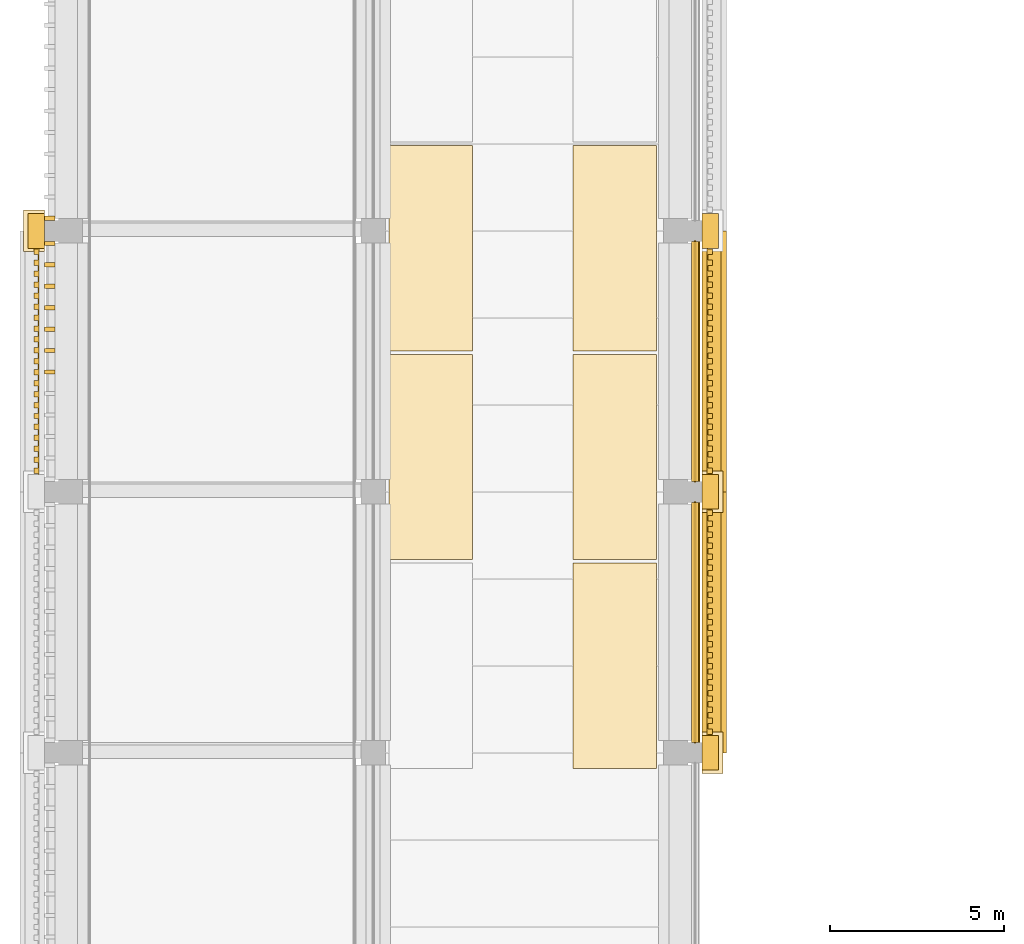
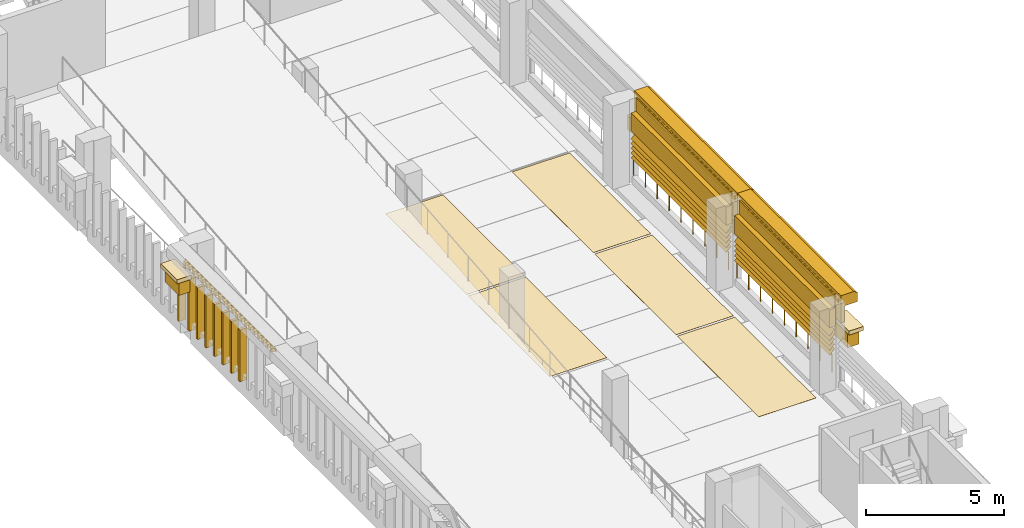
# One storey, part 15 of 25: 27 coverings, 10 shading devices, 2 railings.
"""IFC4 building model written with IfcOpenShell, lengths in metres."""

from ifc_helpers import new_model, si_unit, direction, frame, origin, origin_2d, place, context, subcontext, project, spatial, polyline, circle, outline, extrude, material, layer, layer_set, type_object, element, save


model = new_model("IFC4")

# Units and contexts
model_context = context("Model", 3, precision=1e-05, world=origin(), true_north=direction((0.0, 1.0)))
body_context = subcontext(model_context, "Body", "Model", "MODEL_VIEW")
ifc_project = project(units=[si_unit("LENGTHUNIT", "METRE"), si_unit("AREAUNIT", "SQUARE_METRE"), si_unit("VOLUMEUNIT", "CUBIC_METRE"), si_unit("PLANEANGLEUNIT", "RADIAN"), si_unit("MASSUNIT", "GRAM", prefix="KILO")], contexts=[model_context])

# Site, building, storey
site_placement = place(None, origin())
site = spatial("IfcSite", under=ifc_project, at=site_placement, CompositionType="ELEMENT")
building_placement = place(site_placement, origin())
building = spatial("IfcBuilding", under=site, at=building_placement, Name="Cour d'Honneur Mobility Palace", CompositionType="ELEMENT")
storey_placement = place(building_placement, frame((0.0, 0.0, 30.39990234375)))
storey = spatial("IfcBuildingStorey", under=building, at=storey_placement, Name="L08", CompositionType="ELEMENT", Elevation=30.39990234375)

# Railings
ifc_material_1 = material(Name="Painted steel", Category="steel")
railing_type = type_object("IfcRailingType", Name="Balustrade", PredefinedType="BALUSTRADE", material=ifc_material_1)
for number, where, name in (
    (1, (17.949951171875, 15.300048828125, 0.300048828125), "Balustrade BAL-392"),
    (2, (17.949951171875, 22.800048828125, 0.300048828125), "Balustrade BAL-393"),
):
    element("IfcRailing", number, at=place(storey_placement, frame(where)), inside=storey, type_object=railing_type, Name=name, PredefinedType="BALUSTRADE", context=body_context, shape_type="SweptSolid", body=[
        extrude(circle(Radius=0.02392578125, at=origin_2d()), frame((0.0, 0.0, 0.77587890625), z_axis=(0.0, 1.0, 0.0), x_axis=(-1.0, 0.0, 0.0)), (0.0, 0.0, 1.0), 6.89990234375),
        extrude(circle(Radius=0.02099609375, at=origin_2d()), origin(), (0.0, 0.0, 1.0), 0.751953125),
        extrude(circle(Radius=0.02099609375, at=origin_2d()), frame((0.0, 0.862548828125, 0.0)), (0.0, 0.0, 1.0), 0.751953125),
        extrude(circle(Radius=0.02099609375, at=origin_2d()), frame((0.0, 1.72509765625, 0.0)), (0.0, 0.0, 1.0), 0.751953125),
        extrude(circle(Radius=0.02099609375, at=origin_2d()), frame((0.0, 2.58740234375, 0.0)), (0.0, 0.0, 1.0), 0.751953125),
        extrude(circle(Radius=0.02099609375, at=origin_2d()), frame((0.0, 3.449951171875, 0.0)), (0.0, 0.0, 1.0), 0.751953125),
        extrude(circle(Radius=0.02099609375, at=origin_2d()), frame((0.0, 4.3125, 0.0)), (0.0, 0.0, 1.0), 0.751953125),
        extrude(circle(Radius=0.02099609375, at=origin_2d()), frame((0.0, 5.1748046875, 0.0)), (0.0, 0.0, 1.0), 0.751953125),
        extrude(circle(Radius=0.02099609375, at=origin_2d()), frame((0.0, 6.037353515625, 0.0)), (0.0, 0.0, 1.0), 0.751953125),
        extrude(circle(Radius=0.02099609375, at=origin_2d()), frame((0.0, 6.89990234375, 0.0)), (0.0, 0.0, 1.0), 0.751953125),
    ])

# Coverings
ifc_material_2 = material(Name="Cast limestone", Category="masonry")
ifc_layer_1 = layer(ifc_material_2, 0.14990234375)
ifc_layer_set_1 = layer_set([ifc_layer_1], Name="Cast limestone")
covering_type_1 = type_object("IfcCoveringType", Name="Dentil course", PredefinedType="CLADDING", material=ifc_layer_set_1)
covering_1_placement = place(storey_placement, frame((0.0, 0.0, 3.150146484375)))
element("IfcCovering", 3, at=covering_1_placement, inside=storey, type_object=covering_type_1, Name="Dentil course DC-125", PredefinedType="CLADDING", context=body_context, shape_type="SweptSolid", body=[
    extrude(outline(polyline([(18.300048828125, 15.449951171875), (18.300048828125, 22.050048828125), (18.330078125, 22.050048828125), (18.330078125, 22.050048828125), (18.330078125, 21.971435546875), (18.449951171875, 21.971435546875), (18.449951171875, 21.814208984375), (18.330078125, 21.814208984375), (18.330078125, 21.735595703125), (18.330078125, 21.735595703125), (18.330078125, 21.6572265625), (18.449951171875, 21.6572265625), (18.449951171875, 21.5), (18.330078125, 21.5), (18.330078125, 21.42138671875), (18.330078125, 21.42138671875), (18.330078125, 21.3427734375), (18.449951171875, 21.3427734375), (18.449951171875, 21.185791015625), (18.330078125, 21.185791015625), (18.330078125, 21.107177734375), (18.330078125, 21.107177734375), (18.330078125, 21.028564453125), (18.449951171875, 21.028564453125), (18.449951171875, 20.871337890625), (18.330078125, 20.871337890625), (18.330078125, 20.79296875), (18.330078125, 20.79296875), (18.330078125, 20.71435546875), (18.449951171875, 20.71435546875), (18.449951171875, 20.55712890625), (18.330078125, 20.55712890625), (18.330078125, 20.478515625), (18.330078125, 20.478515625), (18.330078125, 20.39990234375), (18.449951171875, 20.39990234375), (18.449951171875, 20.242919921875), (18.330078125, 20.242919921875), (18.330078125, 20.164306640625), (18.330078125, 20.164306640625), (18.330078125, 20.085693359375), (18.449951171875, 20.085693359375), (18.449951171875, 19.928466796875), (18.330078125, 19.928466796875), (18.330078125, 19.85009765625), (18.330078125, 19.85009765625), (18.330078125, 19.771484375), (18.449951171875, 19.771484375), (18.449951171875, 19.6142578125), (18.330078125, 19.6142578125), (18.330078125, 19.53564453125), (18.330078125, 19.53564453125), (18.330078125, 19.45703125), (18.449951171875, 19.45703125), (18.449951171875, 19.300048828125), (18.330078125, 19.300048828125), (18.330078125, 19.221435546875), (18.330078125, 19.221435546875), (18.330078125, 19.142822265625), (18.449951171875, 19.142822265625), (18.449951171875, 18.985595703125), (18.330078125, 18.985595703125), (18.330078125, 18.9072265625), (18.330078125, 18.9072265625), (18.330078125, 18.82861328125), (18.449951171875, 18.82861328125), (18.449951171875, 18.67138671875), (18.330078125, 18.67138671875), (18.330078125, 18.5927734375), (18.330078125, 18.5927734375), (18.330078125, 18.514404296875), (18.449951171875, 18.514404296875), (18.449951171875, 18.357177734375), (18.330078125, 18.357177734375), (18.330078125, 18.278564453125), (18.330078125, 18.278564453125), (18.330078125, 18.199951171875), (18.449951171875, 18.199951171875), (18.449951171875, 18.04296875), (18.330078125, 18.04296875), (18.330078125, 17.96435546875), (18.330078125, 17.96435546875), (18.330078125, 17.8857421875), (18.449951171875, 17.8857421875), (18.449951171875, 17.728515625), (18.330078125, 17.728515625), (18.330078125, 17.64990234375), (18.330078125, 17.64990234375), (18.330078125, 17.571533203125), (18.449951171875, 17.571533203125), (18.449951171875, 17.414306640625), (18.330078125, 17.414306640625), (18.330078125, 17.335693359375), (18.330078125, 17.335693359375), (18.330078125, 17.257080078125), (18.449951171875, 17.257080078125), (18.449951171875, 17.10009765625), (18.330078125, 17.10009765625), (18.330078125, 17.021484375), (18.330078125, 17.021484375), (18.330078125, 16.94287109375), (18.449951171875, 16.94287109375), (18.449951171875, 16.78564453125), (18.330078125, 16.78564453125), (18.330078125, 16.70703125), (18.330078125, 16.70703125), (18.330078125, 16.628662109375), (18.449951171875, 16.628662109375), (18.449951171875, 16.471435546875), (18.330078125, 16.471435546875), (18.330078125, 16.392822265625), (18.330078125, 16.392822265625), (18.330078125, 16.314208984375), (18.449951171875, 16.314208984375), (18.449951171875, 16.1572265625), (18.330078125, 16.1572265625), (18.330078125, 16.07861328125), (18.330078125, 16.07861328125), (18.330078125, 16.0), (18.449951171875, 16.0), (18.449951171875, 15.8427734375), (18.330078125, 15.8427734375), (18.330078125, 15.764404296875), (18.330078125, 15.764404296875), (18.330078125, 15.685791015625), (18.449951171875, 15.685791015625), (18.449951171875, 15.528564453125), (18.330078125, 15.528564453125), (18.330078125, 15.449951171875), (18.300048828125, 15.449951171875)])), origin(), (0.0, 0.0, 1.0), 0.14990234375),
])
covering_2_placement = place(storey_placement, frame((0.0, 0.0, 3.150146484375)))
element("IfcCovering", 4, at=covering_2_placement, inside=storey, type_object=covering_type_1, Name="Dentil course DC-126", PredefinedType="CLADDING", context=body_context, shape_type="SweptSolid", body=[
    extrude(outline(polyline([(18.300048828125, 22.949951171875), (18.300048828125, 29.550048828125), (18.330078125, 29.550048828125), (18.330078125, 29.550048828125), (18.330078125, 29.471435546875), (18.449951171875, 29.471435546875), (18.449951171875, 29.314208984375), (18.330078125, 29.314208984375), (18.330078125, 29.235595703125), (18.330078125, 29.235595703125), (18.330078125, 29.1572265625), (18.449951171875, 29.1572265625), (18.449951171875, 29.0), (18.330078125, 29.0), (18.330078125, 28.92138671875), (18.330078125, 28.92138671875), (18.330078125, 28.8427734375), (18.449951171875, 28.8427734375), (18.449951171875, 28.685791015625), (18.330078125, 28.685791015625), (18.330078125, 28.607177734375), (18.330078125, 28.607177734375), (18.330078125, 28.528564453125), (18.449951171875, 28.528564453125), (18.449951171875, 28.371337890625), (18.330078125, 28.371337890625), (18.330078125, 28.29296875), (18.330078125, 28.29296875), (18.330078125, 28.21435546875), (18.449951171875, 28.21435546875), (18.449951171875, 28.05712890625), (18.330078125, 28.05712890625), (18.330078125, 27.978515625), (18.330078125, 27.978515625), (18.330078125, 27.89990234375), (18.449951171875, 27.89990234375), (18.449951171875, 27.742919921875), (18.330078125, 27.742919921875), (18.330078125, 27.664306640625), (18.330078125, 27.664306640625), (18.330078125, 27.585693359375), (18.449951171875, 27.585693359375), (18.449951171875, 27.428466796875), (18.330078125, 27.428466796875), (18.330078125, 27.35009765625), (18.330078125, 27.35009765625), (18.330078125, 27.271484375), (18.449951171875, 27.271484375), (18.449951171875, 27.1142578125), (18.330078125, 27.1142578125), (18.330078125, 27.03564453125), (18.330078125, 27.03564453125), (18.330078125, 26.95703125), (18.449951171875, 26.95703125), (18.449951171875, 26.800048828125), (18.330078125, 26.800048828125), (18.330078125, 26.721435546875), (18.330078125, 26.721435546875), (18.330078125, 26.642822265625), (18.449951171875, 26.642822265625), (18.449951171875, 26.485595703125), (18.330078125, 26.485595703125), (18.330078125, 26.4072265625), (18.330078125, 26.4072265625), (18.330078125, 26.32861328125), (18.449951171875, 26.32861328125), (18.449951171875, 26.17138671875), (18.330078125, 26.17138671875), (18.330078125, 26.0927734375), (18.330078125, 26.0927734375), (18.330078125, 26.014404296875), (18.449951171875, 26.014404296875), (18.449951171875, 25.857177734375), (18.330078125, 25.857177734375), (18.330078125, 25.778564453125), (18.330078125, 25.778564453125), (18.330078125, 25.699951171875), (18.449951171875, 25.699951171875), (18.449951171875, 25.54296875), (18.330078125, 25.54296875), (18.330078125, 25.46435546875), (18.330078125, 25.46435546875), (18.330078125, 25.3857421875), (18.449951171875, 25.3857421875), (18.449951171875, 25.228515625), (18.330078125, 25.228515625), (18.330078125, 25.14990234375), (18.330078125, 25.14990234375), (18.330078125, 25.071533203125), (18.449951171875, 25.071533203125), (18.449951171875, 24.914306640625), (18.330078125, 24.914306640625), (18.330078125, 24.835693359375), (18.330078125, 24.835693359375), (18.330078125, 24.757080078125), (18.449951171875, 24.757080078125), (18.449951171875, 24.60009765625), (18.330078125, 24.60009765625), (18.330078125, 24.521484375), (18.330078125, 24.521484375), (18.330078125, 24.44287109375), (18.449951171875, 24.44287109375), (18.449951171875, 24.28564453125), (18.330078125, 24.28564453125), (18.330078125, 24.20703125), (18.330078125, 24.20703125), (18.330078125, 24.128662109375), (18.449951171875, 24.128662109375), (18.449951171875, 23.971435546875), (18.330078125, 23.971435546875), (18.330078125, 23.892822265625), (18.330078125, 23.892822265625), (18.330078125, 23.814208984375), (18.449951171875, 23.814208984375), (18.449951171875, 23.6572265625), (18.330078125, 23.6572265625), (18.330078125, 23.57861328125), (18.330078125, 23.57861328125), (18.330078125, 23.5), (18.449951171875, 23.5), (18.449951171875, 23.3427734375), (18.330078125, 23.3427734375), (18.330078125, 23.264404296875), (18.330078125, 23.264404296875), (18.330078125, 23.185791015625), (18.449951171875, 23.185791015625), (18.449951171875, 23.028564453125), (18.330078125, 23.028564453125), (18.330078125, 22.949951171875), (18.300048828125, 22.949951171875)])), origin(), (0.0, 0.0, 1.0), 0.14990234375),
])
covering_3_placement = place(storey_placement, frame((0.0, 0.0, 3.150146484375)))
element("IfcCovering", 5, at=covering_3_placement, inside=storey, type_object=covering_type_1, Name="Dentil course DC-129", PredefinedType="CLADDING", context=body_context, shape_type="SweptSolid", body=[
    extrude(outline(polyline([(-0.89990234375, 29.550048828125), (-0.89990234375, 22.949951171875), (-0.929931640625, 22.949951171875), (-0.929931640625, 22.949951171875), (-0.929931640625, 23.028564453125), (-1.050048828125, 23.028564453125), (-1.050048828125, 23.185791015625), (-0.929931640625, 23.185791015625), (-0.929931640625, 23.264404296875), (-0.929931640625, 23.264404296875), (-0.929931640625, 23.3427734375), (-1.050048828125, 23.3427734375), (-1.050048828125, 23.5), (-0.929931640625, 23.5), (-0.929931640625, 23.57861328125), (-0.929931640625, 23.57861328125), (-0.929931640625, 23.6572265625), (-1.050048828125, 23.6572265625), (-1.050048828125, 23.814208984375), (-0.929931640625, 23.814208984375), (-0.929931640625, 23.892822265625), (-0.929931640625, 23.892822265625), (-0.929931640625, 23.971435546875), (-1.050048828125, 23.971435546875), (-1.050048828125, 24.128662109375), (-0.929931640625, 24.128662109375), (-0.929931640625, 24.20703125), (-0.929931640625, 24.20703125), (-0.929931640625, 24.28564453125), (-1.050048828125, 24.28564453125), (-1.050048828125, 24.44287109375), (-0.929931640625, 24.44287109375), (-0.929931640625, 24.521484375), (-0.929931640625, 24.521484375), (-0.929931640625, 24.60009765625), (-1.050048828125, 24.60009765625), (-1.050048828125, 24.757080078125), (-0.929931640625, 24.757080078125), (-0.929931640625, 24.835693359375), (-0.929931640625, 24.835693359375), (-0.929931640625, 24.914306640625), (-1.050048828125, 24.914306640625), (-1.050048828125, 25.071533203125), (-0.929931640625, 25.071533203125), (-0.929931640625, 25.14990234375), (-0.929931640625, 25.14990234375), (-0.929931640625, 25.228515625), (-1.050048828125, 25.228515625), (-1.050048828125, 25.3857421875), (-0.929931640625, 25.3857421875), (-0.929931640625, 25.46435546875), (-0.929931640625, 25.46435546875), (-0.929931640625, 25.54296875), (-1.050048828125, 25.54296875), (-1.050048828125, 25.699951171875), (-0.929931640625, 25.699951171875), (-0.929931640625, 25.778564453125), (-0.929931640625, 25.778564453125), (-0.929931640625, 25.857177734375), (-1.050048828125, 25.857177734375), (-1.050048828125, 26.014404296875), (-0.929931640625, 26.014404296875), (-0.929931640625, 26.0927734375), (-0.929931640625, 26.0927734375), (-0.929931640625, 26.17138671875), (-1.050048828125, 26.17138671875), (-1.050048828125, 26.32861328125), (-0.929931640625, 26.32861328125), (-0.929931640625, 26.4072265625), (-0.929931640625, 26.4072265625), (-0.929931640625, 26.485595703125), (-1.050048828125, 26.485595703125), (-1.050048828125, 26.642822265625), (-0.929931640625, 26.642822265625), (-0.929931640625, 26.721435546875), (-0.929931640625, 26.721435546875), (-0.929931640625, 26.800048828125), (-1.050048828125, 26.800048828125), (-1.050048828125, 26.95703125), (-0.929931640625, 26.95703125), (-0.929931640625, 27.03564453125), (-0.929931640625, 27.03564453125), (-0.929931640625, 27.1142578125), (-1.050048828125, 27.1142578125), (-1.050048828125, 27.271484375), (-0.929931640625, 27.271484375), (-0.929931640625, 27.35009765625), (-0.929931640625, 27.35009765625), (-0.929931640625, 27.428466796875), (-1.050048828125, 27.428466796875), (-1.050048828125, 27.585693359375), (-0.929931640625, 27.585693359375), (-0.929931640625, 27.664306640625), (-0.929931640625, 27.664306640625), (-0.929931640625, 27.742919921875), (-1.050048828125, 27.742919921875), (-1.050048828125, 27.89990234375), (-0.929931640625, 27.89990234375), (-0.929931640625, 27.978515625), (-0.929931640625, 27.978515625), (-0.929931640625, 28.05712890625), (-1.050048828125, 28.05712890625), (-1.050048828125, 28.21435546875), (-0.929931640625, 28.21435546875), (-0.929931640625, 28.29296875), (-0.929931640625, 28.29296875), (-0.929931640625, 28.371337890625), (-1.050048828125, 28.371337890625), (-1.050048828125, 28.528564453125), (-0.929931640625, 28.528564453125), (-0.929931640625, 28.607177734375), (-0.929931640625, 28.607177734375), (-0.929931640625, 28.685791015625), (-1.050048828125, 28.685791015625), (-1.050048828125, 28.8427734375), (-0.929931640625, 28.8427734375), (-0.929931640625, 28.92138671875), (-0.929931640625, 28.92138671875), (-0.929931640625, 29.0), (-1.050048828125, 29.0), (-1.050048828125, 29.1572265625), (-0.929931640625, 29.1572265625), (-0.929931640625, 29.235595703125), (-0.929931640625, 29.235595703125), (-0.929931640625, 29.314208984375), (-1.050048828125, 29.314208984375), (-1.050048828125, 29.471435546875), (-0.929931640625, 29.471435546875), (-0.929931640625, 29.550048828125), (-0.89990234375, 29.550048828125)])), origin(), (0.0, 0.0, 1.0), 0.14990234375),
])
ifc_material_3 = material(Name="Cast limestone", Category="masonry")
ifc_layer_2 = layer(ifc_material_3, 0.699951171875)
ifc_layer_set_2 = layer_set([ifc_layer_2], Name="Cast limestone")
covering_type_2 = type_object("IfcCoveringType", Name="Entablature", PredefinedType="CLADDING", material=ifc_layer_set_2)
for number, where, z_axis, x_axis, name in (
    (6, (18.14990234375, 15.0, 2.60009765625), (0.0, -1.0, 0.0), (1.0, 0.0, 0.0), "Entablature EN-125"),
    (7, (18.14990234375, 22.5, 2.60009765625), (0.0, -1.0, 0.0), (1.0, 0.0, 0.0), "Entablature EN-126"),
):
    element("IfcCovering", number, at=place(storey_placement, frame(where, z_axis=z_axis, x_axis=x_axis)), inside=storey, type_object=covering_type_2, Name=name, PredefinedType="CLADDING", context=body_context, shape_type="SweptSolid", body=[
        extrude(outline(polyline([(0.0, 0.0), (0.150146484375, 0.0), (0.150146484375, 0.699951171875), (0.7001953125, 0.699951171875), (0.7001953125, 1.10009765625), (0.550048828125, 1.199951171875), (0.0, 1.199951171875), (0.0, 0.0)])), origin(), (0.0, 0.0, -1.0), 7.5),
    ])
ifc_material_4 = material(Name="Parking marking paint")
ifc_layer_3 = layer(ifc_material_4, 0.0048828125)
ifc_layer_set_3 = layer_set([ifc_layer_3], Name="Parking marking paint")
covering_type_3 = type_object("IfcCoveringType", Name="Parking bay marking", PredefinedType="FLOORING", material=ifc_layer_set_3)
covering_4_placement = place(storey_placement, origin())
element("IfcCovering", 8, at=covering_4_placement, inside=storey, type_object=covering_type_3, Name="Parking bay marking L08 10", PredefinedType="FLOORING", context=body_context, shape_type="SweptSolid", body=[
    extrude(outline(polyline([(11.550048828125, 20.550048828125), (9.14990234375, 20.550048828125), (9.14990234375, 26.449951171875), (11.550048828125, 26.449951171875), (11.550048828125, 20.550048828125)])), origin(), (0.0, 0.0, 1.0), 0.005126953125),
])
covering_5_placement = place(storey_placement, origin())
element("IfcCovering", 9, at=covering_5_placement, inside=storey, type_object=covering_type_3, Name="Parking bay marking L08 11", PredefinedType="FLOORING", context=body_context, shape_type="SweptSolid", body=[
    extrude(outline(polyline([(11.550048828125, 26.550048828125), (9.14990234375, 26.550048828125), (9.14990234375, 32.449951171875), (11.550048828125, 32.449951171875), (11.550048828125, 26.550048828125)])), origin(), (0.0, 0.0, 1.0), 0.005126953125),
])
covering_6_placement = place(storey_placement, origin())
element("IfcCovering", 10, at=covering_6_placement, inside=storey, type_object=covering_type_3, Name="Parking bay marking L08 13", PredefinedType="FLOORING", context=body_context, shape_type="SweptSolid", body=[
    extrude(outline(polyline([(16.85009765625, 14.550048828125), (14.449951171875, 14.550048828125), (14.449951171875, 20.449951171875), (16.85009765625, 20.449951171875), (16.85009765625, 14.550048828125)])), origin(), (0.0, 0.0, 1.0), 0.005126953125),
])
covering_7_placement = place(storey_placement, origin())
element("IfcCovering", 11, at=covering_7_placement, inside=storey, type_object=covering_type_3, Name="Parking bay marking L08 14", PredefinedType="FLOORING", context=body_context, shape_type="SweptSolid", body=[
    extrude(outline(polyline([(16.85009765625, 20.550048828125), (14.449951171875, 20.550048828125), (14.449951171875, 26.449951171875), (16.85009765625, 26.449951171875), (16.85009765625, 20.550048828125)])), origin(), (0.0, 0.0, 1.0), 0.005126953125),
])
covering_8_placement = place(storey_placement, origin())
element("IfcCovering", 12, at=covering_8_placement, inside=storey, type_object=covering_type_3, Name="Parking bay marking L08 15", PredefinedType="FLOORING", context=body_context, shape_type="SweptSolid", body=[
    extrude(outline(polyline([(16.85009765625, 26.550048828125), (14.449951171875, 26.550048828125), (14.449951171875, 32.449951171875), (16.85009765625, 32.449951171875), (16.85009765625, 26.550048828125)])), origin(), (0.0, 0.0, 1.0), 0.005126953125),
])
ifc_material_5 = material(Name="Cast limestone", Category="masonry")
ifc_layer_4 = layer(ifc_material_5, 0.1201171875)
ifc_layer_set_4 = layer_set([ifc_layer_4], Name="Cast limestone")
covering_type_4 = type_object("IfcCoveringType", Name="Pilaster capital", PredefinedType="CLADDING", material=ifc_layer_set_4)
covering_9_placement = place(storey_placement, frame((0.0, 0.0, 1.800048828125)))
element("IfcCovering", 13, at=covering_9_placement, inside=storey, type_object=covering_type_4, Name="Pilaster capital PK-9", PredefinedType="CLADDING", context=body_context, shape_type="SweptSolid", body=[
    extrude(outline(polyline([(18.14990234375, 14.5), (18.14990234375, 15.5), (18.6201171875, 15.5), (18.6201171875, 14.5), (18.14990234375, 14.5)])), origin(), (0.0, 0.0, 1.0), 0.6201171875),
])
covering_10_placement = place(storey_placement, frame((0.0, 0.0, 2.420166015625)))
element("IfcCovering", 14, at=covering_10_placement, inside=storey, type_object=covering_type_4, Name="Pilaster capital PK-10", PredefinedType="CLADDING", context=body_context, shape_type="SweptSolid", body=[
    extrude(outline(polyline([(18.14990234375, 14.39990234375), (18.14990234375, 15.60009765625), (18.75, 15.60009765625), (18.75, 14.39990234375), (18.14990234375, 14.39990234375)])), origin(), (0.0, 0.0, 1.0), 0.179931640625),
])
covering_11_placement = place(storey_placement, frame((0.0, 0.0, 1.800048828125)))
element("IfcCovering", 15, at=covering_11_placement, inside=storey, type_object=covering_type_4, Name="Pilaster capital PK-11", PredefinedType="CLADDING", context=body_context, shape_type="SweptSolid", body=[
    extrude(outline(polyline([(18.14990234375, 22.0), (18.14990234375, 23.0), (18.6201171875, 23.0), (18.6201171875, 22.0), (18.14990234375, 22.0)])), origin(), (0.0, 0.0, 1.0), 0.6201171875),
])
covering_12_placement = place(storey_placement, frame((0.0, 0.0, 2.420166015625)))
element("IfcCovering", 16, at=covering_12_placement, inside=storey, type_object=covering_type_4, Name="Pilaster capital PK-12", PredefinedType="CLADDING", context=body_context, shape_type="SweptSolid", body=[
    extrude(outline(polyline([(18.14990234375, 21.89990234375), (18.14990234375, 23.10009765625), (18.75, 23.10009765625), (18.75, 21.89990234375), (18.14990234375, 21.89990234375)])), origin(), (0.0, 0.0, 1.0), 0.179931640625),
])
covering_13_placement = place(storey_placement, frame((0.0, 0.0, 1.800048828125)))
element("IfcCovering", 17, at=covering_13_placement, inside=storey, type_object=covering_type_4, Name="Pilaster capital PK-13", PredefinedType="CLADDING", context=body_context, shape_type="SweptSolid", body=[
    extrude(outline(polyline([(18.14990234375, 29.5), (18.14990234375, 30.5), (18.6201171875, 30.5), (18.6201171875, 29.5), (18.14990234375, 29.5)])), origin(), (0.0, 0.0, 1.0), 0.6201171875),
])
covering_14_placement = place(storey_placement, frame((0.0, 0.0, 1.800048828125)))
element("IfcCovering", 18, at=covering_14_placement, inside=storey, type_object=covering_type_4, Name="Pilaster capital PK-199", PredefinedType="CLADDING", context=body_context, shape_type="SweptSolid", body=[
    extrude(outline(polyline([(-0.75, 30.5), (-0.75, 29.5), (-1.219970703125, 29.5), (-1.219970703125, 30.5), (-0.75, 30.5)])), origin(), (0.0, 0.0, 1.0), 0.6201171875),
])
covering_15_placement = place(storey_placement, frame((0.0, 0.0, 2.420166015625)))
element("IfcCovering", 19, at=covering_15_placement, inside=storey, type_object=covering_type_4, Name="Pilaster capital PK-200", PredefinedType="CLADDING", context=body_context, shape_type="SweptSolid", body=[
    extrude(outline(polyline([(-0.75, 30.60009765625), (-0.75, 29.39990234375), (-1.35009765625, 29.39990234375), (-1.35009765625, 30.60009765625), (-0.75, 30.60009765625)])), origin(), (0.0, 0.0, 1.0), 0.179931640625),
])
ifc_material_6 = material(Name="Cast limestone", Category="masonry")
ifc_layer_5 = layer(ifc_material_6, 0.1201171875)
ifc_layer_set_5 = layer_set([ifc_layer_5], Name="Cast limestone")
covering_type_5 = type_object("IfcCoveringType", Name="Ramp screen fin", PredefinedType="CLADDING", material=ifc_layer_set_5)
covering_16_placement = place(storey_placement, origin())
element("IfcCovering", 20, at=covering_16_placement, inside=storey, type_object=covering_type_5, Name="Ramp screen fin W3.2 L08 12", PredefinedType="CLADDING", context=body_context, shape_type="SweptSolid", body=[
    extrude(outline(polyline([(-0.449951171875, 30.419921875), (-0.449951171875, 30.300048828125), (-0.75, 30.300048828125), (-0.75, 30.419921875), (-0.449951171875, 30.419921875)])), origin(), (0.0, 0.0, 1.0), 2.300048828125),
])
covering_17_placement = place(storey_placement, origin())
element("IfcCovering", 21, at=covering_17_placement, inside=storey, type_object=covering_type_5, Name="Ramp screen fin W3.3 L08 1", PredefinedType="CLADDING", context=body_context, shape_type="SweptSolid", body=[
    extrude(outline(polyline([(-0.449951171875, 29.699951171875), (-0.449951171875, 29.580078125), (-0.75, 29.580078125), (-0.75, 29.699951171875), (-0.449951171875, 29.699951171875)])), origin(), (0.0, 0.0, 1.0), 2.300048828125),
])
covering_18_placement = place(storey_placement, origin())
element("IfcCovering", 22, at=covering_18_placement, inside=storey, type_object=covering_type_5, Name="Ramp screen fin W3.3 L08 2", PredefinedType="CLADDING", context=body_context, shape_type="SweptSolid", body=[
    extrude(outline(polyline([(-0.449951171875, 29.083740234375), (-0.449951171875, 28.963623046875), (-0.75, 28.963623046875), (-0.75, 29.083740234375), (-0.449951171875, 29.083740234375)])), origin(), (0.0, 0.0, 1.0), 2.300048828125),
])
covering_19_placement = place(storey_placement, origin())
element("IfcCovering", 23, at=covering_19_placement, inside=storey, type_object=covering_type_5, Name="Ramp screen fin W3.3 L08 3", PredefinedType="CLADDING", context=body_context, shape_type="SweptSolid", body=[
    extrude(outline(polyline([(-0.449951171875, 28.46728515625), (-0.449951171875, 28.34716796875), (-0.75, 28.34716796875), (-0.75, 28.46728515625), (-0.449951171875, 28.46728515625)])), origin(), (0.0, 0.0, 1.0), 2.300048828125),
])
covering_20_placement = place(storey_placement, origin())
element("IfcCovering", 24, at=covering_20_placement, inside=storey, type_object=covering_type_5, Name="Ramp screen fin W3.3 L08 4", PredefinedType="CLADDING", context=body_context, shape_type="SweptSolid", body=[
    extrude(outline(polyline([(-0.449951171875, 27.850830078125), (-0.449951171875, 27.73095703125), (-0.75, 27.73095703125), (-0.75, 27.850830078125), (-0.449951171875, 27.850830078125)])), origin(), (0.0, 0.0, 1.0), 2.300048828125),
])
covering_21_placement = place(storey_placement, origin())
element("IfcCovering", 25, at=covering_21_placement, inside=storey, type_object=covering_type_5, Name="Ramp screen fin W3.3 L08 5", PredefinedType="CLADDING", context=body_context, shape_type="SweptSolid", body=[
    extrude(outline(polyline([(-0.449951171875, 27.234619140625), (-0.449951171875, 27.114501953125), (-0.75, 27.114501953125), (-0.75, 27.234619140625), (-0.449951171875, 27.234619140625)])), origin(), (0.0, 0.0, 1.0), 2.300048828125),
])
covering_22_placement = place(storey_placement, origin())
element("IfcCovering", 26, at=covering_22_placement, inside=storey, type_object=covering_type_5, Name="Ramp screen fin W3.3 L08 6", PredefinedType="CLADDING", context=body_context, shape_type="SweptSolid", body=[
    extrude(outline(polyline([(-0.449951171875, 26.6181640625), (-0.449951171875, 26.498291015625), (-0.75, 26.498291015625), (-0.75, 26.6181640625), (-0.449951171875, 26.6181640625)])), origin(), (0.0, 0.0, 1.0), 2.300048828125),
])
covering_23_placement = place(storey_placement, origin())
element("IfcCovering", 27, at=covering_23_placement, inside=storey, type_object=covering_type_5, Name="Ramp screen fin W3.3 L08 7", PredefinedType="CLADDING", context=body_context, shape_type="SweptSolid", body=[
    extrude(outline(polyline([(-0.449951171875, 26.001708984375), (-0.449951171875, 25.8818359375), (-0.75, 25.8818359375), (-0.75, 26.001708984375), (-0.449951171875, 26.001708984375)])), origin(), (0.0, 0.0, 1.0), 2.300048828125),
])
ifc_material_7 = material(Name="Cast limestone", Category="masonry")
ifc_layer_6 = layer(ifc_material_7, 0.25)
ifc_layer_set_6 = layer_set([ifc_layer_6], Name="Cast limestone")
covering_type_6 = type_object("IfcCoveringType", Name="Spandrel cladding", PredefinedType="CLADDING", material=ifc_layer_set_6)
for number, where, z_axis, x_axis, name in (
    (28, (17.85009765625, 15.300048828125, 2.300048828125), (0.0, -1.0, 0.0), (1.0, 0.0, 0.0), "Spandrel cladding SK-392"),
    (29, (17.85009765625, 22.800048828125, 2.300048828125), (0.0, -1.0, 0.0), (1.0, 0.0, 0.0), "Spandrel cladding SK-393"),
):
    element("IfcCovering", number, at=place(storey_placement, frame(where, z_axis=z_axis, x_axis=x_axis)), inside=storey, type_object=covering_type_6, Name=name, PredefinedType="CLADDING", context=body_context, shape_type="SweptSolid", body=[
        extrude(outline(polyline([(0.0, 0.0), (0.25, 0.0), (0.25, 1.400146484375), (0.199951171875, 1.400146484375), (0.199951171875, 0.800048828125), (0.0, 0.800048828125), (0.0, 0.0)])), origin(), (0.0, 0.0, -1.0), 6.89990234375),
    ])

# Shading devices
ifc_material_8 = material(Name="Terracotta", Category="masonry")
ifc_layer_7 = layer(ifc_material_8, 0.02490234375)
ifc_layer_set_7 = layer_set([ifc_layer_7], Name="Terracotta")
shading_device_type = type_object("IfcShadingDeviceType", Name="Terracotta louvre blade", PredefinedType="JALOUSIE", material=ifc_layer_set_7)
for number, where, z_axis, x_axis, name in (
    (30, (17.843994140625, 15.300048828125, 1.10009765625), (-0.707106781187, 0.0, 0.707106781187), (0.0, 1.0, 0.0), "Louvre blade LV-1 E1.2 L08 1"),
    (31, (17.843994140625, 15.300048828125, 1.312255859375), (-0.707106781187, 0.0, 0.707106781187), (0.0, 1.0, 0.0), "Louvre blade LV-1 E1.2 L08 2"),
    (32, (17.843994140625, 15.300048828125, 1.5244140625), (-0.707106781187, 0.0, 0.707106781187), (0.0, 1.0, 0.0), "Louvre blade LV-1 E1.2 L08 3"),
    (33, (17.843994140625, 15.300048828125, 1.736572265625), (-0.707106781187, 0.0, 0.707106781187), (0.0, 1.0, 0.0), "Louvre blade LV-1 E1.2 L08 4"),
):
    element("IfcShadingDevice", number, at=place(storey_placement, frame(where, z_axis=z_axis, x_axis=x_axis)), inside=storey, type_object=shading_device_type, Name=name, PredefinedType="JALOUSIE", context=body_context, shape_type="SweptSolid", body=[
        extrude(outline(polyline([(0.0, 0.0), (6.89990234375, 0.0), (6.89990234375, -0.300037008228081), (0.0, -0.300037008228081), (0.0, 0.0)])), origin(), (0.0, 0.0, -1.0), 0.02490234375),
    ])
shading_device_1_placement = place(storey_placement, frame((17.843994140625, 15.300048828125, 1.94873046875), z_axis=(-0.706699578995, 0.0, 0.707513749017), x_axis=(0.0, 1.0, 0.0)))
element("IfcShadingDevice", 34, at=shading_device_1_placement, inside=storey, type_object=shading_device_type, Name="Louvre blade LV-1 E1.2 L08 5", PredefinedType="JALOUSIE", context=body_context, shape_type="SweptSolid", body=[
    extrude(outline(polyline([(0.0, 0.0), (6.89990234375, 0.0), (6.89990234375, -0.29986442442957895), (0.0, -0.29986442442957895), (0.0, 0.0)])), origin(), (0.0, 0.0, -1.0), 0.02490234375),
])
for number, where, z_axis, x_axis, name in (
    (35, (17.843994140625, 22.800048828125, 1.10009765625), (-0.707106781187, 0.0, 0.707106781187), (0.0, 1.0, 0.0), "Louvre blade LV-1 E1.3 L08 1"),
    (36, (17.843994140625, 22.800048828125, 1.312255859375), (-0.707106781187, 0.0, 0.707106781187), (0.0, 1.0, 0.0), "Louvre blade LV-1 E1.3 L08 2"),
    (37, (17.843994140625, 22.800048828125, 1.5244140625), (-0.707106781187, 0.0, 0.707106781187), (0.0, 1.0, 0.0), "Louvre blade LV-1 E1.3 L08 3"),
    (38, (17.843994140625, 22.800048828125, 1.736572265625), (-0.707106781187, 0.0, 0.707106781187), (0.0, 1.0, 0.0), "Louvre blade LV-1 E1.3 L08 4"),
):
    element("IfcShadingDevice", number, at=place(storey_placement, frame(where, z_axis=z_axis, x_axis=x_axis)), inside=storey, type_object=shading_device_type, Name=name, PredefinedType="JALOUSIE", context=body_context, shape_type="SweptSolid", body=[
        extrude(outline(polyline([(0.0, 0.0), (6.89990234375, 0.0), (6.89990234375, -0.300037008228081), (0.0, -0.300037008228081), (0.0, 0.0)])), origin(), (0.0, 0.0, -1.0), 0.02490234375),
    ])
shading_device_2_placement = place(storey_placement, frame((17.843994140625, 22.800048828125, 1.94873046875), z_axis=(-0.706699578995, 0.0, 0.707513749017), x_axis=(0.0, 1.0, 0.0)))
element("IfcShadingDevice", 39, at=shading_device_2_placement, inside=storey, type_object=shading_device_type, Name="Louvre blade LV-1 E1.3 L08 5", PredefinedType="JALOUSIE", context=body_context, shape_type="SweptSolid", body=[
    extrude(outline(polyline([(0.0, 0.0), (6.89990234375, 0.0), (6.89990234375, -0.29986442442957895), (0.0, -0.29986442442957895), (0.0, 0.0)])), origin(), (0.0, 0.0, -1.0), 0.02490234375),
])

save(model, "model.ifc")
